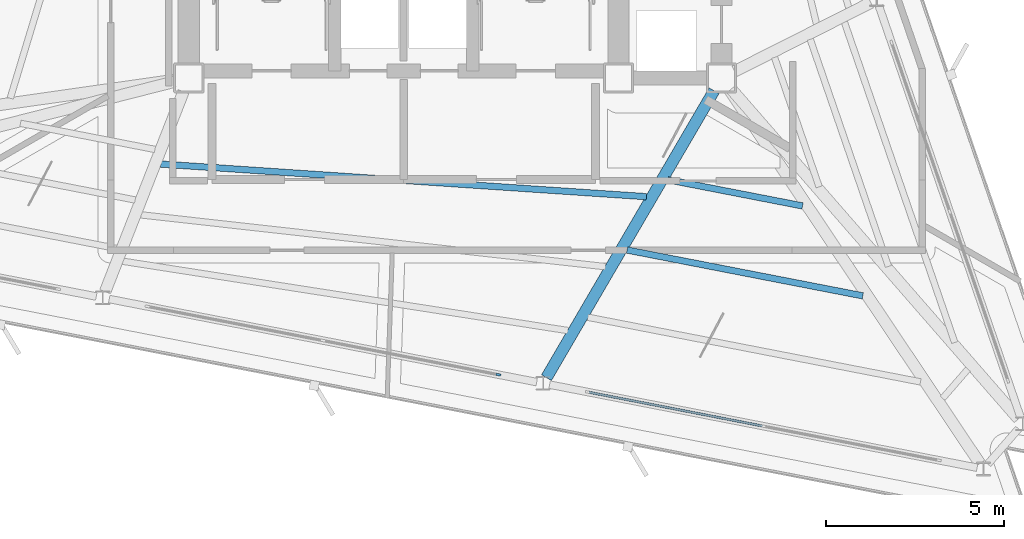
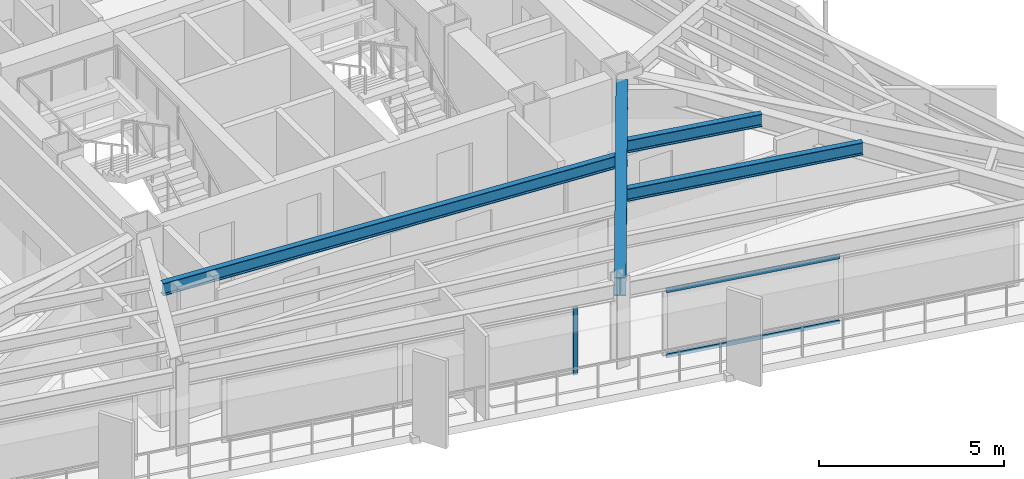
# One storey, part 3 of 13: 4 beams, 3 members, 2 elements without a shape of their own.
"""IFC4 building model written with IfcOpenShell, lengths in metres."""

from ifc_helpers import new_model, si_unit, direction, frame, origin, origin_2d, place, context, subcontext, project, spatial, rectangle, i_section, extrude, material, layer, layer_set, material_profile, profile_set, type_object, element, aggregate, save


model = new_model("IFC4")

# Units and contexts
model_context = context("Model", 3, precision=1e-05, world=origin(), true_north=direction((0.0, 1.0)))
body_context = subcontext(model_context, "Body", "Model", "MODEL_VIEW")
ifc_project = project(units=[si_unit("LENGTHUNIT", "METRE"), si_unit("AREAUNIT", "SQUARE_METRE"), si_unit("VOLUMEUNIT", "CUBIC_METRE"), si_unit("PLANEANGLEUNIT", "RADIAN"), si_unit("MASSUNIT", "GRAM", prefix="KILO")], contexts=[model_context])

# Site, building, storey
site_placement = place(None, origin())
site = spatial("IfcSite", under=ifc_project, at=site_placement, CompositionType="ELEMENT")
building_placement = place(site_placement, origin())
building = spatial("IfcBuilding", under=site, at=building_placement, Name="Rocaltana Carrier Exchange", CompositionType="ELEMENT")
storey_placement = place(building_placement, frame((0.0, 0.0, 162.39990234375)))
storey = spatial("IfcBuildingStorey", under=building, at=storey_placement, Name="L51", CompositionType="ELEMENT", Elevation=162.39990234375)

# Curtain wall, member
ifc_material_1 = material(Name="Aluminium 6063-T6", Category="aluminium")
ifc_layer = layer(ifc_material_1, 0.135009765625)
ifc_layer_set = layer_set([ifc_layer], Name="Aluminium 6063-T6")
curtain_wall_type = type_object("IfcCurtainWallType", Name="Upper-Mid Acoustic Curtain Wall CW-04", PredefinedType="NOTDEFINED", material=ifc_layer_set)
curtain_wall_1_placement = place(storey_placement, origin())
curtain_wall_1 = element("IfcCurtainWall", 1, at=curtain_wall_1_placement, inside=storey, type_object=curtain_wall_type, Name="L51 CW-04 Run CW-L51-F3S2", PredefinedType="NOTDEFINED")
ifc_material_2 = material(Name="Aluminium 6063-T6", Category="aluminium")
ifc_material_profile_1 = material_profile(ifc_material_2, rectangle(XDim=0.06494140625, YDim=0.135009765625, at=origin_2d()), Name="AL-65X135")
ifc_profile_set_1 = profile_set([ifc_material_profile_1], Name="Aluminium 6063-T6")
member_type_1 = type_object("IfcMemberType", Name="CW-04 Mullion AL-65X135", PredefinedType="MULLION", material=ifc_profile_set_1)
member_1_placement = place(storey_placement, frame((2.66845703125, -12.6552734375, 0.0), z_axis=(0.0, 0.0, 1.0), x_axis=(0.190814718784, 0.981626070913, 0.0)))
member_1 = element("IfcMember", 2, at=member_1_placement, type_object=member_type_1, Name="CW-04 mullion 3", PredefinedType="MULLION", context=body_context, shape_type="SweptSolid", body=[
    extrude(rectangle(XDim=0.06494140625, YDim=0.135009765625, at=origin_2d()), origin(), (0.0, 0.0, 1.0), 2.218017578125),
])
aggregate(curtain_wall_1, [member_1])

# Curtain wall, members
curtain_wall_2_placement = place(storey_placement, origin())
curtain_wall_2 = element("IfcCurtainWall", 3, at=curtain_wall_2_placement, inside=storey, type_object=curtain_wall_type, Name="L51 CW-04 Run CW-L51-F3S3", PredefinedType="NOTDEFINED")
ifc_material_3 = material(Name="Aluminium 6063-T6", Category="aluminium")
ifc_material_profile_2 = material_profile(ifc_material_3, rectangle(XDim=0.06494140625, YDim=0.135009765625, at=origin_2d()), Name="AL-65X135")
ifc_profile_set_2 = profile_set([ifc_material_profile_2], Name="Aluminium 6063-T6")
member_type_2 = type_object("IfcMemberType", Name="CW-04 Transom AL-65X135", PredefinedType="USERDEFINED", material=ifc_profile_set_2)
member_2_placement = place(storey_placement, frame((5.21826171875, -13.15087890625, 0.03271484375), z_axis=(0.981624593621, -0.1908223184, 0.0), x_axis=(0.1908223184, 0.981624593621, 0.0)))
member_2 = element("IfcMember", 4, at=member_2_placement, type_object=member_type_2, Name="CW-04 transom 1.1", ObjectType="TRANSOM", PredefinedType="USERDEFINED", context=body_context, shape_type="SweptSolid", body=[
    extrude(rectangle(XDim=0.06494140625, YDim=0.135009765625, at=origin_2d()), origin(), (0.0, 0.0, 1.0), 4.96923828125),
])
member_3_placement = place(storey_placement, frame((5.21826171875, -13.15087890625, 2.185546875), z_axis=(0.981624593621, -0.1908223184, 0.0), x_axis=(0.1908223184, 0.981624593621, 0.0)))
member_3 = element("IfcMember", 5, at=member_3_placement, type_object=member_type_2, Name="CW-04 transom 1.2", ObjectType="TRANSOM", PredefinedType="USERDEFINED", context=body_context, shape_type="SweptSolid", body=[
    extrude(rectangle(XDim=0.06494140625, YDim=0.135009765625, at=origin_2d()), origin(), (0.0, 0.0, 1.0), 4.96923828125),
])
aggregate(curtain_wall_2, [member_2, member_3])

# Beams
ifc_material_4 = material(Name="Steel S355", Category="steel")
ifc_material_profile_3 = material_profile(ifc_material_4, i_section(OverallWidth=0.179931640625, OverallDepth=0.4130859375, WebThickness=0.009765625, FlangeThickness=0.01611328125, FilletRadius=0.012939453125, at=origin_2d()), Name="W16X50")
ifc_profile_set_3 = profile_set([ifc_material_profile_3], Name="Steel S355")
beam_type_1 = type_object("IfcBeamType", Name="Floor Joist W16X50", PredefinedType="JOIST", material=ifc_profile_set_3)
beam_1_placement = place(storey_placement, frame((-6.839599609375, -6.724365234375, 2.58154296875), z_axis=(0.997748594569, -0.067065207337, 0.0), x_axis=(0.067065207337, 0.997748594569, 0.0)))
element("IfcBeam", 6, at=beam_1_placement, inside=storey, type_object=beam_type_1, Name="FJ-L51-10-1", PredefinedType="JOIST", context=body_context, shape_type="SweptSolid", body=[
    extrude(i_section(OverallWidth=0.179931640625, OverallDepth=0.4130859375, WebThickness=0.009765625, FlangeThickness=0.01611328125, FilletRadius=0.012939453125, at=origin_2d()), origin(), (0.0, 0.0, 1.0), 13.705810546875),
])
beam_2_placement = place(storey_placement, frame((7.44580078125, -7.167724609375, 2.58154296875), z_axis=(0.981618354608, -0.190854410211, 0.0), x_axis=(0.190854410211, 0.981618354608, 0.0)))
element("IfcBeam", 7, at=beam_2_placement, inside=storey, type_object=beam_type_1, Name="FJ-L51-11-1", PredefinedType="JOIST", context=body_context, shape_type="SweptSolid", body=[
    extrude(i_section(OverallWidth=0.179931640625, OverallDepth=0.4130859375, WebThickness=0.009765625, FlangeThickness=0.01611328125, FilletRadius=0.012939453125, at=origin_2d()), origin(), (0.0, 0.0, 1.0), 3.856689453125),
])
beam_3_placement = place(storey_placement, frame((6.29052734375, -9.145751953125, 2.58154296875), z_axis=(0.981629854201, -0.190795255028, 0.0), x_axis=(0.190795255028, 0.981629854201, 0.0)))
element("IfcBeam", 8, at=beam_3_placement, inside=storey, type_object=beam_type_1, Name="FJ-L51-11-2", PredefinedType="JOIST", context=body_context, shape_type="SweptSolid", body=[
    extrude(i_section(OverallWidth=0.179931640625, OverallDepth=0.4130859375, WebThickness=0.009765625, FlangeThickness=0.01611328125, FilletRadius=0.012939453125, at=origin_2d()), origin(), (0.0, 0.0, 1.0), 6.7626953125),
])
ifc_material_5 = material(Name="Steel S355", Category="steel")
ifc_material_profile_4 = material_profile(ifc_material_5, i_section(OverallWidth=0.323974609375, OverallDepth=0.611083984375, WebThickness=0.0126953125, FlangeThickness=0.01904296875, FilletRadius=0.01611328125, at=origin_2d()), Name="W24X104")
ifc_profile_set_4 = profile_set([ifc_material_profile_4], Name="Steel S355")
beam_type_2 = type_object("IfcBeamType", Name="Radial Girder W24X104", PredefinedType="BEAM", material=ifc_profile_set_4)
beam_4_placement = place(storey_placement, frame((8.73974609375, -4.66015625, 2.482666015625), z_axis=(-0.504321970508, -0.863515691845, 0.0), x_axis=(0.863515691845, -0.504321970508, 0.0)))
element("IfcBeam", 9, at=beam_4_placement, inside=storey, type_object=beam_type_2, Name="RG-L51-11", PredefinedType="BEAM", context=body_context, shape_type="SweptSolid", body=[
    extrude(i_section(OverallWidth=0.323974609375, OverallDepth=0.611083984375, WebThickness=0.0126953125, FlangeThickness=0.01904296875, FilletRadius=0.01611328125, at=origin_2d()), origin(), (0.0, 0.0, 1.0), 9.356689453125),
])

save(model, "model.ifc")
